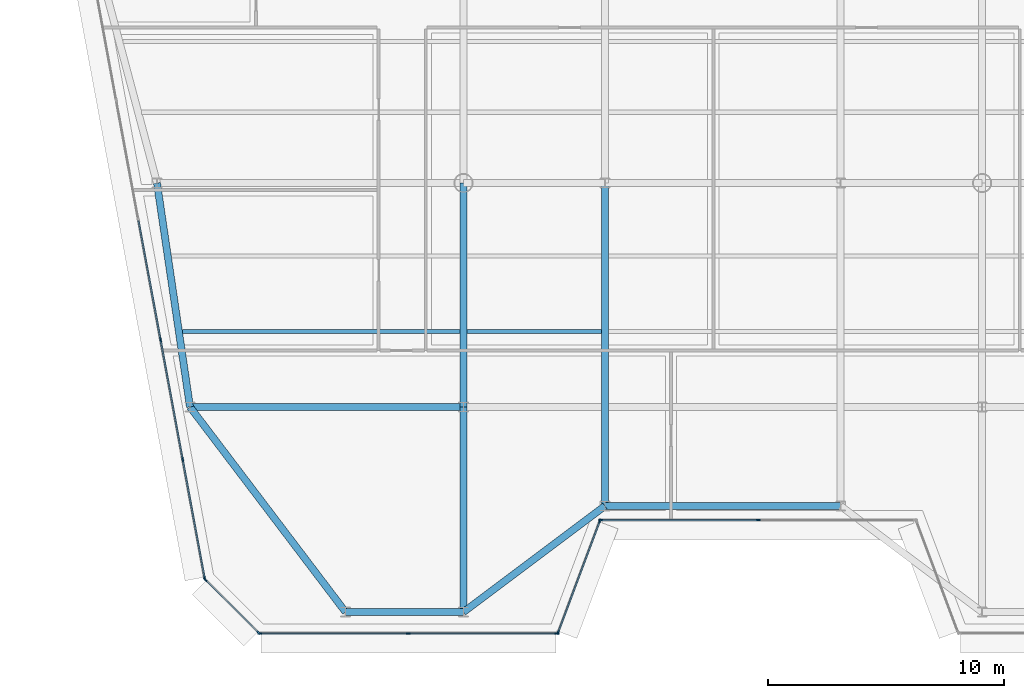
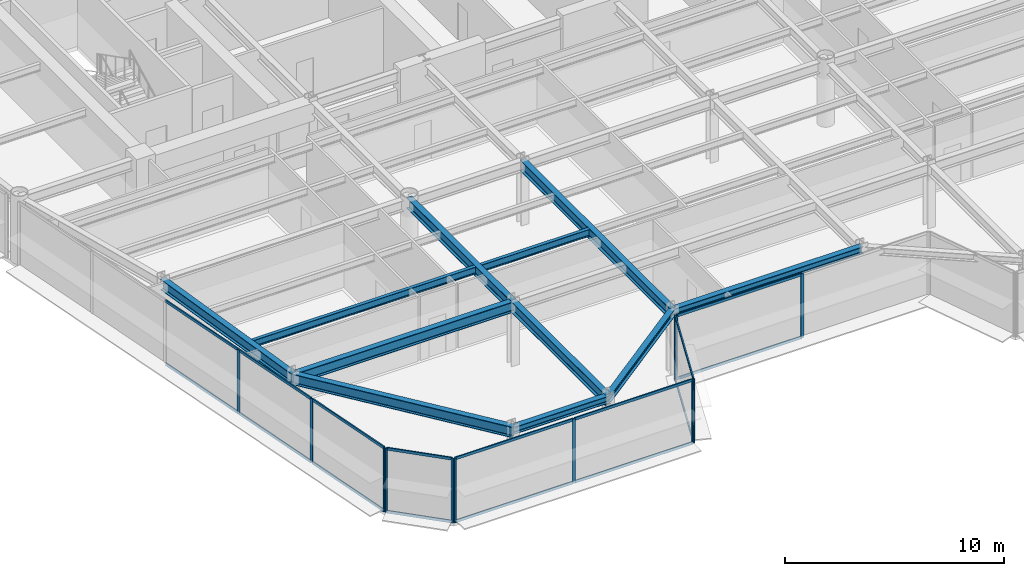
# One storey, part 2 of 16: 28 members, 11 beams, 5 elements without a shape of their own.
"""IFC4 building model written with IfcOpenShell, lengths in metres."""

from ifc_helpers import new_model, si_unit, direction, frame, origin, origin_2d, place, context, subcontext, project, spatial, rectangle, i_section, extrude, source, transform, mapped, material, layer, layer_set, material_profile, profile_set, type_object, element, aggregate, save


model = new_model("IFC4")

# Units and contexts
model_context = context("Model", 3, precision=1e-05, world=origin(), true_north=direction((0.0, 1.0)))
body_context = subcontext(model_context, "Body", "Model", "MODEL_VIEW")
ifc_project = project(units=[si_unit("LENGTHUNIT", "METRE"), si_unit("AREAUNIT", "SQUARE_METRE"), si_unit("VOLUMEUNIT", "CUBIC_METRE"), si_unit("PLANEANGLEUNIT", "RADIAN"), si_unit("MASSUNIT", "GRAM", prefix="KILO")], contexts=[model_context])

# Site, building, storey
site_placement = place(None, origin())
site = spatial("IfcSite", under=ifc_project, at=site_placement, CompositionType="ELEMENT")
building_placement = place(site_placement, origin())
building = spatial("IfcBuilding", under=site, at=building_placement, Name="Vaeldorn Concourse Tower", CompositionType="ELEMENT")
storey_placement = place(building_placement, frame((0.0, 0.0, 210.800048828125)))
storey = spatial("IfcBuildingStorey", under=building, at=storey_placement, Name="L54", CompositionType="ELEMENT", Elevation=210.800048828125)

# Beams
ifc_material_1 = material(Name="Steel S355", Category="steel")
ifc_material_profile_1 = material_profile(ifc_material_1, i_section(OverallWidth=0.300048828125, OverallDepth=0.60009765625, WebThickness=0.015380859375, FlangeThickness=0.030029296875, FilletRadius=0.027099609375, at=origin_2d()), Name="HEB 600")
ifc_profile_set_1 = profile_set([ifc_material_profile_1], Name="Steel S355")
beam_type_1 = type_object("IfcBeamType", Name="BM-PG-HEB600", PredefinedType="BEAM", material=ifc_profile_set_1)
shared_shape_1 = source(origin(), body_context, "Body", "SweptSolid", [
    extrude(i_section(OverallWidth=0.300048828125, OverallDepth=0.60009765625, WebThickness=0.015380859375, FlangeThickness=0.030029296875, FilletRadius=0.027099609375, at=origin_2d()), origin(), (0.0, 0.0, 1.0), 9.6025390625),
])
beam_1_placement = place(storey_placement, frame((10.0, 27.5, 3.280029296875), z_axis=(0.145783835977, -0.989316467652, 0.0), x_axis=(0.989316467652, 0.145783835977, 0.0)))
element("IfcBeam", 1, at=beam_1_placement, inside=storey, type_object=beam_type_1, Name="Beam BM-L54-C-FLW1-C-FLW2", PredefinedType="BEAM", context=body_context, shape_type="MappedRepresentation", body=[
    mapped(shared_shape_1, transform((0.0, 0.0, 0.0), scale=1.0)),
])
shared_shape_2 = source(origin(), body_context, "Body", "SweptSolid", [
    extrude(i_section(OverallWidth=0.300048828125, OverallDepth=0.60009765625, WebThickness=0.015380859375, FlangeThickness=0.030029296875, FilletRadius=0.027099609375, at=origin_2d()), origin(), (0.0, 0.0, 1.0), 11.60009765625),
])
beam_2_placement = place(storey_placement, frame((11.39990234375, 18.0, 3.280029296875), z_axis=(1.0, 0.0, 0.0), x_axis=(0.0, 1.0, 0.0)))
element("IfcBeam", 2, at=beam_2_placement, inside=storey, type_object=beam_type_1, Name="Beam BM-L54-C-FLW2-C-TW5", PredefinedType="BEAM", context=body_context, shape_type="MappedRepresentation", body=[
    mapped(shared_shape_2, transform((0.0, 0.0, 0.0), scale=1.0)),
])
shared_shape_3 = source(origin(), body_context, "Body", "SweptSolid", [
    extrude(i_section(OverallWidth=0.300048828125, OverallDepth=0.60009765625, WebThickness=0.015380859375, FlangeThickness=0.030029296875, FilletRadius=0.027099609375, at=origin_2d()), origin(), (0.0, 0.0, 1.0), 9.5),
])
beam_3_placement = place(storey_placement, frame((23.0, 18.0, 3.280029296875), z_axis=(0.0, 1.0, 0.0), x_axis=(-1.0, 0.0, 0.0)))
element("IfcBeam", 3, at=beam_3_placement, inside=storey, type_object=beam_type_1, Name="Beam BM-L54-C-TW5-C-TW1", PredefinedType="BEAM", context=body_context, shape_type="MappedRepresentation", body=[
    mapped(shared_shape_3, transform((0.0, 0.0, 0.0), scale=1.0)),
])
ifc_material_profile_2 = material_profile(ifc_material_1, i_section(OverallWidth=0.300048828125, OverallDepth=0.39990234375, WebThickness=0.013427734375, FlangeThickness=0.02392578125, FilletRadius=0.027099609375, at=origin_2d()), Name="HEB 400")
ifc_profile_set_2 = profile_set([ifc_material_profile_2], Name="Steel S355")
beam_type_2 = type_object("IfcBeamType", Name="BM-SP-HEB400", PredefinedType="SPANDREL", material=ifc_profile_set_2)
shared_shape_4 = source(origin(), body_context, "Body", "SweptSolid", [
    extrude(i_section(OverallWidth=0.300048828125, OverallDepth=0.39990234375, WebThickness=0.013427734375, FlangeThickness=0.02392578125, FilletRadius=0.027099609375, at=origin_2d()), origin(), (0.0, 0.0, 1.0), 5.0),
])
beam_4_placement = place(storey_placement, frame((18.0, 9.300048828125, 3.3798828125), z_axis=(1.0, 0.0, 0.0), x_axis=(0.0, 1.0, 0.0)))
element("IfcBeam", 4, at=beam_4_placement, inside=storey, type_object=beam_type_2, Name="Beam BM-L54-C-SF1-C-SF2", PredefinedType="SPANDREL", context=body_context, shape_type="MappedRepresentation", body=[
    mapped(shared_shape_4, transform((0.0, 0.0, 0.0), scale=1.0)),
])
shared_shape_5 = source(origin(), body_context, "Body", "SweptSolid", [
    extrude(i_section(OverallWidth=0.300048828125, OverallDepth=0.39990234375, WebThickness=0.013427734375, FlangeThickness=0.02392578125, FilletRadius=0.027099609375, at=origin_2d()), origin(), (0.0, 0.0, 1.0), 7.5),
])
beam_5_placement = place(storey_placement, frame((23.0, 9.300048828125, 3.3798828125), z_axis=(0.8, 0.6, 0.0), x_axis=(-0.6, 0.8, 0.0)))
element("IfcBeam", 5, at=beam_5_placement, inside=storey, type_object=beam_type_2, Name="Beam BM-L54-C-SF2-C-SF3", PredefinedType="SPANDREL", context=body_context, shape_type="MappedRepresentation", body=[
    mapped(shared_shape_5, transform((0.0, 0.0, 0.0), scale=1.0)),
])
shared_shape_6 = source(origin(), body_context, "Body", "SweptSolid", [
    extrude(i_section(OverallWidth=0.300048828125, OverallDepth=0.39990234375, WebThickness=0.013427734375, FlangeThickness=0.02392578125, FilletRadius=0.027099609375, at=origin_2d()), origin(), (0.0, 0.0, 1.0), 10.0),
])
beam_6_placement = place(storey_placement, frame((29.0, 13.800048828125, 3.3798828125), z_axis=(1.0, 0.0, 0.0), x_axis=(0.0, 1.0, 0.0)))
element("IfcBeam", 6, at=beam_6_placement, inside=storey, type_object=beam_type_2, Name="Beam BM-L54-C-SF3-C-SF4", PredefinedType="SPANDREL", context=body_context, shape_type="MappedRepresentation", body=[
    mapped(shared_shape_6, transform((0.0, 0.0, 0.0), scale=1.0)),
])
ifc_material_profile_3 = material_profile(ifc_material_1, i_section(OverallWidth=0.179931640625, OverallDepth=0.39990234375, WebThickness=0.008544921875, FlangeThickness=0.013427734375, FilletRadius=0.02099609375, at=origin_2d()), Name="IPE 400")
ifc_profile_set_3 = profile_set([ifc_material_profile_3], Name="Steel S355")
beam_type_3 = type_object("IfcBeamType", Name="BM-JS-IPE400", PredefinedType="JOIST", material=ifc_profile_set_3)
shared_shape_7 = source(origin(), body_context, "Body", "SweptSolid", [
    extrude(i_section(OverallWidth=0.179931640625, OverallDepth=0.39990234375, WebThickness=0.008544921875, FlangeThickness=0.013427734375, FilletRadius=0.02099609375, at=origin_2d()), origin(), (0.0, 0.0, 1.0), 5.7001953125),
])
beam_7_placement = place(storey_placement, frame((23.14990234375, 21.199951171875, 3.3798828125), z_axis=(1.0, 0.0, 0.0), x_axis=(0.0, 1.0, 0.0)))
element("IfcBeam", 7, at=beam_7_placement, inside=storey, type_object=beam_type_3, Name="Beam JS-L54-W2-212", PredefinedType="JOIST", context=body_context, shape_type="MappedRepresentation", body=[
    mapped(shared_shape_7, transform((0.0, 0.0, 0.0), scale=1.0)),
])
shared_shape_8 = source(origin(), body_context, "Body", "SweptSolid", [
    extrude(i_section(OverallWidth=0.300048828125, OverallDepth=0.60009765625, WebThickness=0.015380859375, FlangeThickness=0.030029296875, FilletRadius=0.027099609375, at=origin_2d()), origin(), (0.0, 0.0, 1.0), 10.920166015625),
])
beam_8_placement = place(storey_placement, frame((18.0, 9.300048828125, 3.280029296875), z_axis=(-0.604394310451, 0.796685331542, 0.0), x_axis=(-0.796685331542, -0.604394310451, 0.0)))
element("IfcBeam", 8, at=beam_8_placement, inside=storey, type_object=beam_type_1, Name="Beam BM-L54-C-SF1-C-FLW2", PredefinedType="BEAM", context=body_context, shape_type="MappedRepresentation", body=[
    mapped(shared_shape_8, transform((0.0, 0.0, 0.0), scale=1.0)),
])
shared_shape_9 = source(origin(), body_context, "Body", "SweptSolid", [
    extrude(i_section(OverallWidth=0.300048828125, OverallDepth=0.60009765625, WebThickness=0.015380859375, FlangeThickness=0.030029296875, FilletRadius=0.027099609375, at=origin_2d()), origin(), (0.0, 0.0, 1.0), 8.699951171875),
])
beam_9_placement = place(storey_placement, frame((23.0, 9.300048828125, 3.280029296875), z_axis=(0.0, 1.0, 0.0), x_axis=(-1.0, 0.0, 0.0)))
element("IfcBeam", 9, at=beam_9_placement, inside=storey, type_object=beam_type_1, Name="Beam BM-L54-C-SF2-C-TW5", PredefinedType="BEAM", context=body_context, shape_type="MappedRepresentation", body=[
    mapped(shared_shape_9, transform((0.0, 0.0, 0.0), scale=1.0)),
])
shared_shape_10 = source(origin(), body_context, "Body", "SweptSolid", [
    extrude(i_section(OverallWidth=0.300048828125, OverallDepth=0.60009765625, WebThickness=0.015380859375, FlangeThickness=0.030029296875, FilletRadius=0.027099609375, at=origin_2d()), origin(), (0.0, 0.0, 1.0), 13.699951171875),
])
beam_10_placement = place(storey_placement, frame((29.0, 13.800048828125, 3.280029296875), z_axis=(0.0, 1.0, 0.0), x_axis=(-1.0, 0.0, 0.0)))
element("IfcBeam", 10, at=beam_10_placement, inside=storey, type_object=beam_type_1, Name="Beam BM-L54-C-SF3-C-TW2", PredefinedType="BEAM", context=body_context, shape_type="MappedRepresentation", body=[
    mapped(shared_shape_10, transform((0.0, 0.0, 0.0), scale=1.0)),
])
shared_shape_11 = source(origin(), body_context, "Body", "SweptSolid", [
    extrude(i_section(OverallWidth=0.179931640625, OverallDepth=0.39990234375, WebThickness=0.008544921875, FlangeThickness=0.013427734375, FilletRadius=0.02099609375, at=origin_2d()), origin(), (0.0, 0.0, 1.0), 11.771728515625),
])
beam_11_placement = place(storey_placement, frame((11.078369140625, 21.199951171875, 3.3798828125), z_axis=(1.0, 0.0, 0.0), x_axis=(0.0, 1.0, 0.0)))
element("IfcBeam", 11, at=beam_11_placement, inside=storey, type_object=beam_type_3, Name="Beam JS-L54-W1-212", PredefinedType="JOIST", context=body_context, shape_type="MappedRepresentation", body=[
    mapped(shared_shape_11, transform((0.0, 0.0, 0.0), scale=1.0)),
])

# Curtain wall, members
ifc_material_2 = material(Name="Anodised Bronze Aluminium", Category="aluminium")
ifc_layer = layer(ifc_material_2, 0.18994140625)
ifc_layer_set = layer_set([ifc_layer], Name="Anodised Bronze Aluminium")
curtain_wall_type = type_object("IfcCurtainWallType", Name="CW-SYS-03", PredefinedType="NOTDEFINED", material=ifc_layer_set)
curtain_wall_1_placement = place(storey_placement, origin())
curtain_wall_1 = element("IfcCurtainWall", 12, at=curtain_wall_1_placement, inside=storey, type_object=curtain_wall_type, Name="Unitised Curtain Wall CW-L54-E01-1", PredefinedType="NOTDEFINED")
ifc_material_profile_4 = material_profile(ifc_material_2, rectangle(XDim=0.06494140625, YDim=0.169921875, at=origin_2d()), Name="CWM 65x170")
ifc_profile_set_4 = profile_set([ifc_material_profile_4], Name="Anodised Bronze Aluminium")
member_type_1 = type_object("IfcMemberType", Name="CWM-BRONZE-170", PredefinedType="MULLION", material=ifc_profile_set_4)
shared_shape_12 = source(origin(), body_context, "Body", "SweptSolid", [
    extrude(rectangle(XDim=0.06494140625, YDim=0.169921875, at=origin_2d()), origin(), (0.0, 0.0, 1.0), 3.579833984375),
])
member_1_placement = place(storey_placement, frame((14.361572265625, 8.39990234375, 0.0), z_axis=(0.0, 0.0, 1.0), x_axis=(0.0, 1.0, 0.0)))
member_1 = element("IfcMember", 13, at=member_1_placement, type_object=member_type_1, Name="CW-03 mullion 1", PredefinedType="MULLION", context=body_context, shape_type="MappedRepresentation", body=[
    mapped(shared_shape_12, transform((0.0, 0.0, 0.0), scale=1.0)),
])
member_2_placement = place(storey_placement, frame((20.66455078125, 8.39990234375, 0.0), z_axis=(0.0, 0.0, 1.0), x_axis=(0.0, 1.0, 0.0)))
member_2 = element("IfcMember", 14, at=member_2_placement, type_object=member_type_1, Name="CW-03 mullion 2", PredefinedType="MULLION", context=body_context, shape_type="MappedRepresentation", body=[
    mapped(shared_shape_12, transform((0.0, 0.0, 0.0), scale=1.0)),
])
member_3_placement = place(storey_placement, frame((26.967529296875, 8.39990234375, 0.0), z_axis=(0.0, 0.0, 1.0), x_axis=(0.0, 1.0, 0.0)))
member_3 = element("IfcMember", 15, at=member_3_placement, type_object=member_type_1, Name="CW-03 mullion 3", PredefinedType="MULLION", context=body_context, shape_type="MappedRepresentation", body=[
    mapped(shared_shape_12, transform((0.0, 0.0, 0.0), scale=1.0)),
])

curtain_wall_2_placement = place(storey_placement, origin())
curtain_wall_2 = element("IfcCurtainWall", 16, at=curtain_wall_2_placement, inside=storey, type_object=curtain_wall_type, Name="Unitised Curtain Wall CW-L54-E02-1", PredefinedType="NOTDEFINED")
member_4_placement = place(storey_placement, frame((27.011474609375, 8.430419921875, 0.0), z_axis=(0.0, 0.0, 1.0), x_axis=(-0.936329177566, 0.351123441595, 0.0)))
member_4 = element("IfcMember", 17, at=member_4_placement, type_object=member_type_1, Name="CW-03 mullion 1", PredefinedType="MULLION", context=body_context, shape_type="MappedRepresentation", body=[
    mapped(shared_shape_12, transform((0.0, 0.0, 0.0), scale=1.0)),
])
member_5_placement = place(storey_placement, frame((28.78857421875, 13.169677734375, 0.0), z_axis=(0.0, 0.0, 1.0), x_axis=(-0.936329177566, 0.351123441595, 0.0)))
member_5 = element("IfcMember", 18, at=member_5_placement, type_object=member_type_1, Name="CW-03 mullion 2", PredefinedType="MULLION", context=body_context, shape_type="MappedRepresentation", body=[
    mapped(shared_shape_12, transform((0.0, 0.0, 0.0), scale=1.0)),
])

curtain_wall_3_placement = place(storey_placement, origin())
curtain_wall_3 = element("IfcCurtainWall", 19, at=curtain_wall_3_placement, inside=storey, type_object=curtain_wall_type, Name="Unitised Curtain Wall CW-L54-E03-1", PredefinedType="NOTDEFINED")
member_6_placement = place(storey_placement, frame((28.83251953125, 13.199951171875, 0.0), z_axis=(0.0, 0.0, 1.0), x_axis=(0.0, 1.0, 0.0)))
member_6 = element("IfcMember", 20, at=member_6_placement, type_object=member_type_1, Name="CW-03 mullion 1", PredefinedType="MULLION", context=body_context, shape_type="MappedRepresentation", body=[
    mapped(shared_shape_12, transform((0.0, 0.0, 0.0), scale=1.0)),
])
member_7_placement = place(storey_placement, frame((35.5, 13.199951171875, 0.0), z_axis=(0.0, 0.0, 1.0), x_axis=(0.0, 1.0, 0.0)))
member_7 = element("IfcMember", 21, at=member_7_placement, type_object=member_type_1, Name="CW-03 mullion 2", PredefinedType="MULLION", context=body_context, shape_type="MappedRepresentation", body=[
    mapped(shared_shape_12, transform((0.0, 0.0, 0.0), scale=1.0)),
])

curtain_wall_4_placement = place(storey_placement, origin())
curtain_wall_4 = element("IfcCurtainWall", 22, at=curtain_wall_4_placement, inside=storey, type_object=curtain_wall_type, Name="Unitised Curtain Wall CW-L54-E11-2", PredefinedType="NOTDEFINED")
member_8_placement = place(storey_placement, frame((10.15087890625, 20.853515625, 0.0), z_axis=(0.0, 0.0, 1.0), x_axis=(0.983319079021, 0.181888946432, 0.0)))
member_8 = element("IfcMember", 23, at=member_8_placement, type_object=member_type_1, Name="CW-03 mullion 4", PredefinedType="MULLION", context=body_context, shape_type="MappedRepresentation", body=[
    mapped(shared_shape_12, transform((0.0, 0.0, 0.0), scale=1.0)),
])
member_9_placement = place(storey_placement, frame((11.08984375, 15.776611328125, 0.0), z_axis=(0.0, 0.0, 1.0), x_axis=(0.983319079021, 0.181888946432, 0.0)))
member_9 = element("IfcMember", 24, at=member_9_placement, type_object=member_type_1, Name="CW-03 mullion 5", PredefinedType="MULLION", context=body_context, shape_type="MappedRepresentation", body=[
    mapped(shared_shape_12, transform((0.0, 0.0, 0.0), scale=1.0)),
])
member_10_placement = place(storey_placement, frame((12.023193359375, 10.73193359375, 0.0), z_axis=(0.0, 0.0, 1.0), x_axis=(0.983319079021, 0.181888946432, 0.0)))
member_10 = element("IfcMember", 25, at=member_10_placement, type_object=member_type_1, Name="CW-03 mullion 6", PredefinedType="MULLION", context=body_context, shape_type="MappedRepresentation", body=[
    mapped(shared_shape_12, transform((0.0, 0.0, 0.0), scale=1.0)),
])

curtain_wall_5_placement = place(storey_placement, origin())
curtain_wall_5 = element("IfcCurtainWall", 26, at=curtain_wall_5_placement, inside=storey, type_object=curtain_wall_type, Name="Unitised Curtain Wall CW-L54-E12-1", PredefinedType="NOTDEFINED")
member_11_placement = place(storey_placement, frame((12.052001953125, 10.677001953125, 0.0), z_axis=(0.0, 0.0, 1.0), x_axis=(0.707106781187, 0.707106781187, 0.0)))
member_11 = element("IfcMember", 27, at=member_11_placement, type_object=member_type_1, Name="CW-03 mullion 1", PredefinedType="MULLION", context=body_context, shape_type="MappedRepresentation", body=[
    mapped(shared_shape_12, transform((0.0, 0.0, 0.0), scale=1.0)),
])
member_12_placement = place(storey_placement, frame((14.305908203125, 8.423095703125, 0.0), z_axis=(0.0, 0.0, 1.0), x_axis=(0.707106781187, 0.707106781187, 0.0)))
member_12 = element("IfcMember", 28, at=member_12_placement, type_object=member_type_1, Name="CW-03 mullion 2", PredefinedType="MULLION", context=body_context, shape_type="MappedRepresentation", body=[
    mapped(shared_shape_12, transform((0.0, 0.0, 0.0), scale=1.0)),
])

# Member
ifc_material_profile_5 = material_profile(ifc_material_2, rectangle(XDim=0.06494140625, YDim=0.14990234375, at=origin_2d()), Name="CWT 65x150")
ifc_profile_set_5 = profile_set([ifc_material_profile_5], Name="Anodised Bronze Aluminium")
member_type_2 = type_object("IfcMemberType", Name="CWT-BRONZE-150", PredefinedType="USERDEFINED", material=ifc_profile_set_5)
shared_shape_13 = source(origin(), body_context, "Body", "SweptSolid", [
    extrude(rectangle(XDim=0.06494140625, YDim=0.14990234375, at=origin_2d()), origin(), (0.0, 0.0, 1.0), 4.996337890625),
])
member_13_placement = place(storey_placement, frame((27.022705078125, 8.4609375, 0.032470703125), z_axis=(0.351134151405, 0.936325161318, 0.0), x_axis=(-0.936325161318, 0.351134151405, 0.0)))
member_13 = element("IfcMember", 29, at=member_13_placement, type_object=member_type_2, Name="CW-03 transom 1.1", ObjectType="TRANSOM", PredefinedType="USERDEFINED", context=body_context, shape_type="MappedRepresentation", body=[
    mapped(shared_shape_13, transform((0.0, 0.0, 0.0), scale=1.0)),
])

member_14_placement = place(storey_placement, frame((27.022705078125, 8.4609375, 3.54736328125), z_axis=(0.351134151405, 0.936325161318, 0.0), x_axis=(-0.936325161318, 0.351134151405, 0.0)))
member_14 = element("IfcMember", 30, at=member_14_placement, type_object=member_type_2, Name="CW-03 transom 1.2", ObjectType="TRANSOM", PredefinedType="USERDEFINED", context=body_context, shape_type="MappedRepresentation", body=[
    mapped(shared_shape_13, transform((0.0, 0.0, 0.0), scale=1.0)),
])

aggregate(curtain_wall_2, [member_4, member_5, member_13, member_14])

shared_shape_14 = source(origin(), body_context, "Body", "SweptSolid", [
    extrude(rectangle(XDim=0.06494140625, YDim=0.14990234375, at=origin_2d()), origin(), (0.0, 0.0, 1.0), 6.6025390625),
])
member_15_placement = place(storey_placement, frame((28.864990234375, 13.199951171875, 0.032470703125), z_axis=(1.0, 0.0, 0.0), x_axis=(0.0, 1.0, 0.0)))
member_15 = element("IfcMember", 31, at=member_15_placement, type_object=member_type_2, Name="CW-03 transom 1.1", ObjectType="TRANSOM", PredefinedType="USERDEFINED", context=body_context, shape_type="MappedRepresentation", body=[
    mapped(shared_shape_14, transform((0.0, 0.0, 0.0), scale=1.0)),
])

member_16_placement = place(storey_placement, frame((28.864990234375, 13.199951171875, 3.54736328125), z_axis=(1.0, 0.0, 0.0), x_axis=(0.0, 1.0, 0.0)))
member_16 = element("IfcMember", 32, at=member_16_placement, type_object=member_type_2, Name="CW-03 transom 1.2", ObjectType="TRANSOM", PredefinedType="USERDEFINED", context=body_context, shape_type="MappedRepresentation", body=[
    mapped(shared_shape_14, transform((0.0, 0.0, 0.0), scale=1.0)),
])

aggregate(curtain_wall_3, [member_6, member_7, member_15, member_16])

shared_shape_15 = source(origin(), body_context, "Body", "SweptSolid", [
    extrude(rectangle(XDim=0.06494140625, YDim=0.14990234375, at=origin_2d()), origin(), (0.0, 0.0, 1.0), 3.12255859375),
])
member_17_placement = place(storey_placement, frame((12.074951171875, 10.654052734375, 0.032470703125), z_axis=(0.707106781187, -0.707106781187, 0.0), x_axis=(0.707106781187, 0.707106781187, 0.0)))
member_17 = element("IfcMember", 33, at=member_17_placement, type_object=member_type_2, Name="CW-03 transom 1.1", ObjectType="TRANSOM", PredefinedType="USERDEFINED", context=body_context, shape_type="MappedRepresentation", body=[
    mapped(shared_shape_15, transform((0.0, 0.0, 0.0), scale=1.0)),
])

member_18_placement = place(storey_placement, frame((12.074951171875, 10.654052734375, 3.54736328125), z_axis=(0.707106781187, -0.707106781187, 0.0), x_axis=(0.707106781187, 0.707106781187, 0.0)))
member_18 = element("IfcMember", 34, at=member_18_placement, type_object=member_type_2, Name="CW-03 transom 1.2", ObjectType="TRANSOM", PredefinedType="USERDEFINED", context=body_context, shape_type="MappedRepresentation", body=[
    mapped(shared_shape_15, transform((0.0, 0.0, 0.0), scale=1.0)),
])

aggregate(curtain_wall_5, [member_11, member_12, member_17, member_18])

shared_shape_16 = source(origin(), body_context, "Body", "SweptSolid", [
    extrude(rectangle(XDim=0.06494140625, YDim=0.14990234375, at=origin_2d()), origin(), (0.0, 0.0, 1.0), 5.065185546875),
])
member_19_placement = place(storey_placement, frame((11.095947265625, 15.74462890625, 0.032470703125), z_axis=(0.181857972654, -0.983324807875, 0.0), x_axis=(0.983324807875, 0.181857972654, 0.0)))
member_19 = element("IfcMember", 35, at=member_19_placement, type_object=member_type_2, Name="CW-03 transom 5.1", ObjectType="TRANSOM", PredefinedType="USERDEFINED", context=body_context, shape_type="MappedRepresentation", body=[
    mapped(shared_shape_16, transform((0.0, 0.0, 0.0), scale=1.0)),
])

member_20_placement = place(storey_placement, frame((11.095947265625, 15.74462890625, 3.54736328125), z_axis=(0.181857972654, -0.983324807875, 0.0), x_axis=(0.983324807875, 0.181857972654, 0.0)))
member_20 = element("IfcMember", 36, at=member_20_placement, type_object=member_type_2, Name="CW-03 transom 5.2", ObjectType="TRANSOM", PredefinedType="USERDEFINED", context=body_context, shape_type="MappedRepresentation", body=[
    mapped(shared_shape_16, transform((0.0, 0.0, 0.0), scale=1.0)),
])

shared_shape_17 = source(origin(), body_context, "Body", "SweptSolid", [
    extrude(rectangle(XDim=0.06494140625, YDim=0.14990234375, at=origin_2d()), origin(), (0.0, 0.0, 1.0), 5.097900390625),
])
member_21_placement = place(storey_placement, frame((9.2177734375, 25.898193359375, 0.032470703125), z_axis=(0.181885185048, -0.983319774773, 0.0), x_axis=(0.983319774773, 0.181885185048, 0.0)))
member_21 = element("IfcMember", 37, at=member_21_placement, type_object=member_type_2, Name="CW-03 transom 3.1", ObjectType="TRANSOM", PredefinedType="USERDEFINED", context=body_context, shape_type="MappedRepresentation", body=[
    mapped(shared_shape_17, transform((0.0, 0.0, 0.0), scale=1.0)),
])

member_22_placement = place(storey_placement, frame((9.2177734375, 25.898193359375, 3.54736328125), z_axis=(0.181885185048, -0.983319774773, 0.0), x_axis=(0.983319774773, 0.181885185048, 0.0)))
member_22 = element("IfcMember", 38, at=member_22_placement, type_object=member_type_2, Name="CW-03 transom 3.2", ObjectType="TRANSOM", PredefinedType="USERDEFINED", context=body_context, shape_type="MappedRepresentation", body=[
    mapped(shared_shape_17, transform((0.0, 0.0, 0.0), scale=1.0)),
])

member_23_placement = place(storey_placement, frame((10.15673828125, 20.821533203125, 0.032470703125), z_axis=(0.181885185048, -0.983319774773, 0.0), x_axis=(0.983319774773, 0.181885185048, 0.0)))
member_23 = element("IfcMember", 39, at=member_23_placement, type_object=member_type_2, Name="CW-03 transom 4.1", ObjectType="TRANSOM", PredefinedType="USERDEFINED", context=body_context, shape_type="MappedRepresentation", body=[
    mapped(shared_shape_17, transform((0.0, 0.0, 0.0), scale=1.0)),
])

member_24_placement = place(storey_placement, frame((10.15673828125, 20.821533203125, 3.54736328125), z_axis=(0.181885185048, -0.983319774773, 0.0), x_axis=(0.983319774773, 0.181885185048, 0.0)))
member_24 = element("IfcMember", 40, at=member_24_placement, type_object=member_type_2, Name="CW-03 transom 4.2", ObjectType="TRANSOM", PredefinedType="USERDEFINED", context=body_context, shape_type="MappedRepresentation", body=[
    mapped(shared_shape_17, transform((0.0, 0.0, 0.0), scale=1.0)),
])

aggregate(curtain_wall_4, [member_8, member_9, member_10, member_21, member_22, member_23, member_24, member_19, member_20])

shared_shape_18 = source(origin(), body_context, "Body", "SweptSolid", [
    extrude(rectangle(XDim=0.06494140625, YDim=0.14990234375, at=origin_2d()), origin(), (0.0, 0.0, 1.0), 6.238037109375),
])
member_25_placement = place(storey_placement, frame((14.39404296875, 8.39990234375, 0.032470703125), z_axis=(1.0, 0.0, 0.0), x_axis=(0.0, 1.0, 0.0)))
member_25 = element("IfcMember", 41, at=member_25_placement, type_object=member_type_2, Name="CW-03 transom 1.1", ObjectType="TRANSOM", PredefinedType="USERDEFINED", context=body_context, shape_type="MappedRepresentation", body=[
    mapped(shared_shape_18, transform((0.0, 0.0, 0.0), scale=1.0)),
])

member_26_placement = place(storey_placement, frame((14.39404296875, 8.39990234375, 3.54736328125), z_axis=(1.0, 0.0, 0.0), x_axis=(0.0, 1.0, 0.0)))
member_26 = element("IfcMember", 42, at=member_26_placement, type_object=member_type_2, Name="CW-03 transom 1.2", ObjectType="TRANSOM", PredefinedType="USERDEFINED", context=body_context, shape_type="MappedRepresentation", body=[
    mapped(shared_shape_18, transform((0.0, 0.0, 0.0), scale=1.0)),
])

member_27_placement = place(storey_placement, frame((20.697021484375, 8.39990234375, 0.032470703125), z_axis=(1.0, 0.0, 0.0), x_axis=(0.0, 1.0, 0.0)))
member_27 = element("IfcMember", 43, at=member_27_placement, type_object=member_type_2, Name="CW-03 transom 2.1", ObjectType="TRANSOM", PredefinedType="USERDEFINED", context=body_context, shape_type="MappedRepresentation", body=[
    mapped(shared_shape_18, transform((0.0, 0.0, 0.0), scale=1.0)),
])

member_28_placement = place(storey_placement, frame((20.697021484375, 8.39990234375, 3.54736328125), z_axis=(1.0, 0.0, 0.0), x_axis=(0.0, 1.0, 0.0)))
member_28 = element("IfcMember", 44, at=member_28_placement, type_object=member_type_2, Name="CW-03 transom 2.2", ObjectType="TRANSOM", PredefinedType="USERDEFINED", context=body_context, shape_type="MappedRepresentation", body=[
    mapped(shared_shape_18, transform((0.0, 0.0, 0.0), scale=1.0)),
])

aggregate(curtain_wall_1, [member_1, member_2, member_3, member_25, member_26, member_27, member_28])

save(model, "model.ifc")
